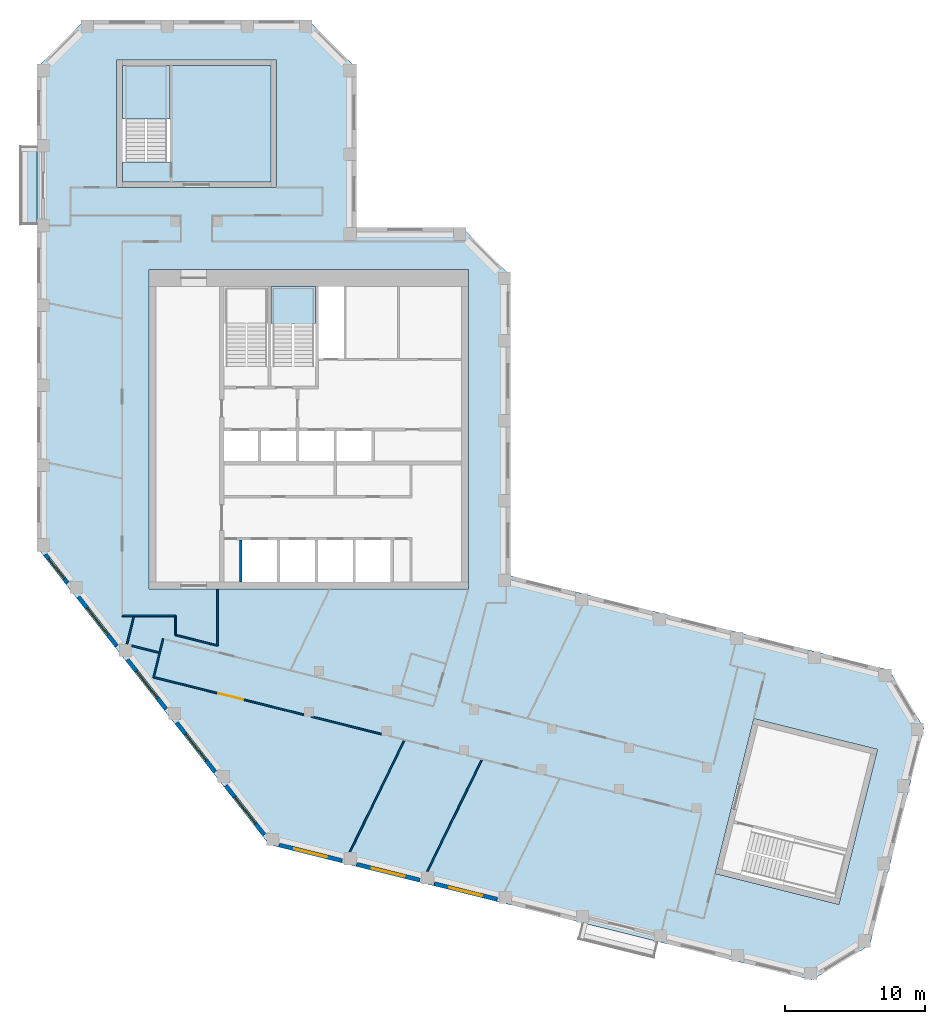
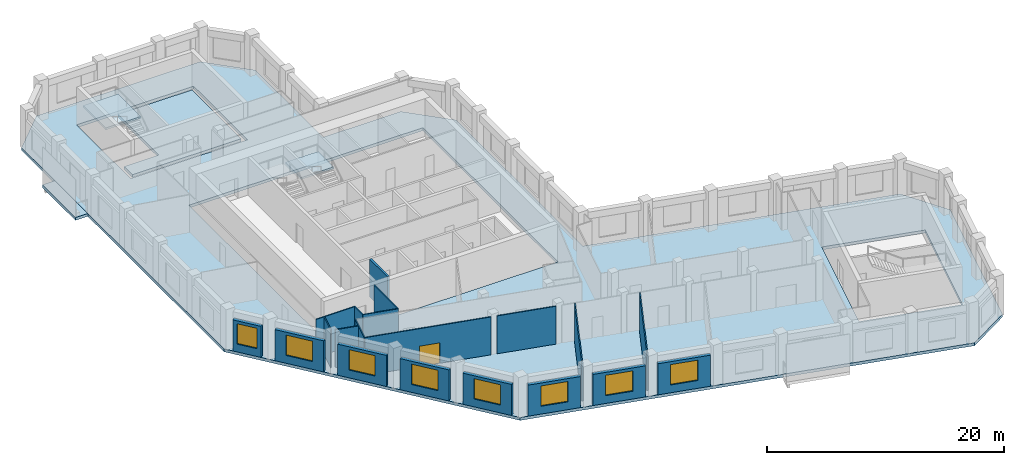
# One storey, part 2 of 8: 20 walls, 8 windows, 5 slabs, 1 door, 9 openings, 2 elements without a shape of their own.
"""IFC4 building model written with IfcOpenShell, lengths in metres."""

from ifc_helpers import new_model, si_unit, direction, frame, frame_2d, origin, place, context, subcontext, project, spatial, polyline, rectangle, outline, extrude, material, layer, layer_set, type_object, element, fill, aggregate, save


model = new_model("IFC4")

# Units and contexts
model_context = context("Model", 3, precision=1e-05, world=origin(), true_north=direction((0.0, 1.0)))
body_context = subcontext(model_context, "Body", "Model", "MODEL_VIEW")
ifc_project = project(units=[si_unit("LENGTHUNIT", "METRE"), si_unit("AREAUNIT", "SQUARE_METRE"), si_unit("VOLUMEUNIT", "CUBIC_METRE"), si_unit("PLANEANGLEUNIT", "RADIAN"), si_unit("MASSUNIT", "GRAM", prefix="KILO")], contexts=[model_context])

# Site, building, storey
site_placement = place(None, origin())
site = spatial("IfcSite", under=ifc_project, at=site_placement, CompositionType="ELEMENT")
building_placement = place(site_placement, origin())
building = spatial("IfcBuilding", under=site, at=building_placement, Name="Meshkara Civic Tower", CompositionType="ELEMENT")
storey_placement = place(building_placement, frame((0.0, 0.0, 366.60009765625)))
storey = spatial("IfcBuildingStorey", under=building, at=storey_placement, Name="L84", CompositionType="ELEMENT", Elevation=366.60009765625)

# Slabs
ifc_material_1 = material(Name="Concrete C40", Category="concrete")
ifc_layer_1 = layer(ifc_material_1, 0.300048828125)
ifc_layer_set_1 = layer_set([ifc_layer_1], Name="BALCONY SLAB")
slab_type_1 = type_object("IfcSlabType", Name="BALCONY SLAB", PredefinedType="FLOOR", material=ifc_layer_set_1)
slab_1_placement = place(storey_placement, frame((0.0, 0.0, -0.300048828125)))
element("IfcSlab", 1, at=slab_1_placement, inside=storey, type_object=slab_type_1, Name="Balcony slab", PredefinedType="FLOOR", context=body_context, shape_type="SweptSolid", body=[
    extrude(outline(polyline([(0.0, 40.5048828125), (0.0, 40.114990234375), (-1.199951171875, 40.114990234375), (-1.199951171875, 45.695068359375), (0.0, 45.695068359375), (0.0, 45.304931640625), (0.0, 40.5048828125)])), origin(), (0.0, 0.0, 1.0), 0.300048828125),
])
ifc_material_2 = material(Name="Concrete C40/50", Category="concrete")
ifc_layer_2 = layer(ifc_material_2, 0.300048828125)
ifc_layer_set_2 = layer_set([ifc_layer_2], Name="Core floor slab 300 C40/50")
slab_type_2 = type_object("IfcSlabType", Name="Core floor slab 300 C40/50", PredefinedType="FLOOR", material=ifc_layer_set_2)
slab_2_placement = place(storey_placement, frame((0.0, 0.0, -0.300048828125)))
element("IfcSlab", 2, at=slab_2_placement, inside=storey, type_object=slab_type_2, Name="Core floor EA", PredefinedType="FLOOR", context=body_context, shape_type="SweptSolid", body=[
    extrude(outline(polyline([(16.699951171875, 43.169921875), (16.699951171875, 51.469970703125), (9.5, 51.469970703125), (9.5, 44.571533203125), (6.10009765625, 44.571533203125), (6.10009765625, 43.169921875), (16.699951171875, 43.169921875)])), origin(), (0.0, 0.0, 1.0), 0.300048828125),
])

# Stair, slab
ifc_material_3 = material(Name="Precast concrete C40/50", Category="concrete")
stair_type = type_object("IfcStairType", Name="Exit stair half-turn 24 risers precast", PredefinedType="HALF_TURN_STAIR", material=ifc_material_3)
stair_1_placement = place(storey_placement, origin())
stair_1 = element("IfcStair", 3, at=stair_1_placement, inside=storey, type_object=stair_type, Name="L84 exit stair 2", PredefinedType="HALF_TURN_STAIR")
ifc_material_4 = material(Name="Precast concrete C40/50", Category="concrete")
ifc_layer_3 = layer(ifc_material_4, 0.199951171875)
ifc_layer_set_3 = layer_set([ifc_layer_3], Name="Exit stair landing 200")
slab_type_3 = type_object("IfcSlabType", Name="Exit stair landing 200", PredefinedType="LANDING", material=ifc_layer_set_3)
slab_3_placement = place(storey_placement, frame((0.0, 0.0, 1.89990234375)))
slab_3 = element("IfcSlab", 4, at=slab_3_placement, type_object=slab_type_3, Name="ST2 landing 1", PredefinedType="LANDING", context=body_context, shape_type="SweptSolid", body=[
    extrude(outline(polyline([(19.89990234375, 33.07861328125), (19.89990234375, 35.699951171875), (16.699951171875, 35.699951171875), (16.699951171875, 33.07861328125), (19.89990234375, 33.07861328125)])), origin(), (0.0, 0.0, 1.0), 0.199951171875),
])
aggregate(stair_1, [slab_3])

stair_2_placement = place(storey_placement, origin())
stair_2 = element("IfcStair", 5, at=stair_2_placement, inside=storey, type_object=stair_type, Name="L84 exit stair A from L80", PredefinedType="HALF_TURN_STAIR")
slab_4_placement = place(storey_placement, frame((0.0, 0.0, 1.89990234375)))
slab_4 = element("IfcSlab", 6, at=slab_4_placement, type_object=slab_type_3, Name="ESA6 landing 1", PredefinedType="LANDING", context=body_context, shape_type="SweptSolid", body=[
    extrude(outline(polyline([(9.5, 47.6484375), (9.5, 51.469970703125), (6.10009765625, 51.469970703125), (6.10009765625, 47.6484375), (9.5, 47.6484375)])), origin(), (0.0, 0.0, 1.0), 0.199951171875),
])
aggregate(stair_2, [slab_4])

# Slab
ifc_material_5 = material(Name="Concrete C50", Category="concrete")
ifc_layer_4 = layer(ifc_material_5, 0.300048828125)
ifc_layer_set_4 = layer_set([ifc_layer_4], Name="Post-tensioned flat slab 300 C50")
slab_type_4 = type_object("IfcSlabType", Name="Post-tensioned flat slab 300 C50", PredefinedType="FLOOR", material=ifc_layer_set_4)
slab_5_placement = place(storey_placement, frame((0.0, 0.0, -0.300048828125)))
element("IfcSlab", 7, at=slab_5_placement, inside=storey, type_object=slab_type_4, Name="Post-tensioned flat slab L84", PredefinedType="FLOOR", context=body_context, shape_type="SweptSolid", body=[
    extrude(outline(polyline([(59.452880859375, -11.299072265625), (55.306884765625, -13.7900390625), (16.592041015625, -4.136962890625), (0.0, 17.10009765625), (0.0, 51.300048828125), (3.419921875, 54.719970703125), (19.3798828125, 54.719970703125), (22.800048828125, 51.300048828125), (22.800048828125, 39.89990234375), (30.3798828125, 39.89990234375), (33.800048828125, 36.47998046875), (33.800048828125, 15.071044921875), (60.822998046875, 8.3330078125), (63.31396484375, 4.18701171875), (59.452880859375, -11.299072265625)]), holes=[polyline([(57.239013671875, -8.39697265625), (59.9970703125, 2.6650390625), (51.1669921875, 4.865966796875), (48.408935546875, -6.195068359375), (57.239013671875, -8.39697265625)]), polyline([(8.0, 14.10009765625), (30.800048828125, 14.10009765625), (30.800048828125, 36.89990234375), (8.0, 36.89990234375), (8.0, 14.10009765625)]), polyline([(5.699951171875, 51.8701171875), (5.699951171875, 42.77001953125), (17.10009765625, 42.77001953125), (17.10009765625, 51.8701171875), (5.699951171875, 51.8701171875)])]), origin(), (0.0, 0.0, 1.0), 0.300048828125),
])

# Wall
ifc_material_6 = material(Name="Corridor wall 100")
ifc_layer_5 = layer(ifc_material_6, 0.10009765625)
ifc_layer_set_5 = layer_set([ifc_layer_5], Name="Corridor wall 100")
wall_type_1 = type_object("IfcWallType", Name="Corridor wall 100", PredefinedType="PARTITIONING", material=ifc_layer_set_5)
wall_1_placement = place(storey_placement, frame((6.10009765625, 12.199951171875, 0.0), z_axis=(0.0, 0.0, 1.0), x_axis=(1.0, 0.0, 0.0)))
element("IfcWall", 8, at=wall_1_placement, inside=storey, type_object=wall_type_1, Name="L84-W004", PredefinedType="PARTITIONING", context=body_context, shape_type="SweptSolid", body=[
    extrude(rectangle(XDim=3.7998046875, YDim=0.10009765625, at=frame_2d((1.89990234375, 0.0))), origin(), (0.0, 0.0, 1.0), 3.89990234375),
])

# Wall, opening, door
wall_2_placement = place(storey_placement, frame((8.333984375, 7.81494140625, 0.0), z_axis=(0.0, 0.0, 1.0), x_axis=(0.970312231044, -0.241855688968, 0.0)))
wall_2 = element("IfcWall", 9, at=wall_2_placement, inside=storey, type_object=wall_type_1, Name="L84-W006", PredefinedType="PARTITIONING", context=body_context, shape_type="SweptSolid", body=[
    extrude(rectangle(XDim=11.068603515625, YDim=0.10009765625, at=frame_2d((5.5341796875, 0.0))), origin(), (0.0, 0.0, 1.0), 3.89990234375),
])
opening_1_placement = place(wall_2_placement, frame((4.780029296875, 0.0, 0.0)))
opening_1 = element("IfcOpeningElement", 10, at=opening_1_placement, cuts=wall_2, Name="Opening L84-D008", PredefinedType="OPENING", context=body_context, shape_type="SweptSolid", body=[
    extrude(rectangle(XDim=1.800048828125, YDim=2.10009765625, at=frame_2d((0.89990234375, 1.050048828125))), frame((0.0, 0.06005859375, 0.0), z_axis=(0.0, -1.0, 0.0), x_axis=(1.0, 0.0, 0.0)), (0.0, 0.0, 1.0), 0.1201171875),
])
ifc_material_7 = material(Name="Door pair 1800 x 2100")
door_type = type_object("IfcDoorType", Name="Door pair 1800 x 2100", OperationType="SINGLE_SWING_LEFT", PredefinedType="DOOR", material=ifc_material_7)
door_placement = place(opening_1_placement, origin())
door = element("IfcDoor", 11, at=door_placement, inside=storey, type_object=door_type, Name="L84-D008", OperationType="DOUBLE_DOOR_SINGLE_SWING", OverallHeight=2.10009765625, OverallWidth=1.800048828125, PredefinedType="DOOR", context=body_context, shape_type="SweptSolid", body=[
    extrude(rectangle(XDim=1.800048828125, YDim=2.10009765625, at=frame_2d((0.89990234375, 1.050048828125))), frame((0.0, 0.02490234375, 0.0), z_axis=(0.0, -1.0, 0.0), x_axis=(1.0, 0.0, 0.0)), (0.0, 0.0, 1.0), 0.050048828125),
])
fill(opening_1, door)

# Walls
wall_3_placement = place(storey_placement, frame((9.01708984375, 10.55810546875, 0.0), z_axis=(0.0, 0.0, 1.0), x_axis=(-0.241641419317, -0.970365613813, 0.0)))
element("IfcWall", 12, at=wall_3_placement, inside=storey, type_object=wall_type_1, Name="L84-W008", PredefinedType="PARTITIONING", context=body_context, shape_type="SweptSolid", body=[
    extrude(rectangle(XDim=2.826904296875, YDim=0.10009765625, at=frame_2d((1.41357421875, 0.0))), origin(), (0.0, 0.0, 1.0), 3.89990234375),
])
wall_4_placement = place(storey_placement, frame((9.89990234375, 10.825927734375, 0.0), z_axis=(0.0, 0.0, 1.0), x_axis=(0.970290953223, -0.241941038466, 0.0)))
element("IfcWall", 13, at=wall_4_placement, inside=storey, type_object=wall_type_1, Name="L84-W009", PredefinedType="PARTITIONING", context=body_context, shape_type="SweptSolid", body=[
    extrude(rectangle(XDim=3.091796875, YDim=0.10009765625, at=frame_2d((1.5458984375, 0.0))), origin(), (0.0, 0.0, 1.0), 3.89990234375),
])
wall_5_placement = place(storey_placement, frame((9.89990234375, 12.199951171875, 0.0), z_axis=(0.0, 0.0, 1.0), x_axis=(0.0, -1.0, 0.0)))
element("IfcWall", 14, at=wall_5_placement, inside=storey, type_object=wall_type_1, Name="L84-W010", PredefinedType="PARTITIONING", context=body_context, shape_type="SweptSolid", body=[
    extrude(rectangle(XDim=1.3740234375, YDim=0.10009765625, at=frame_2d((0.68701171875, 0.0))), origin(), (0.0, 0.0, 1.0), 3.89990234375),
])
wall_6_placement = place(storey_placement, frame((12.89990234375, 10.077880859375, 0.0), z_axis=(0.0, 0.0, 1.0), x_axis=(0.0, 1.0, 0.0)))
element("IfcWall", 15, at=wall_6_placement, inside=storey, type_object=wall_type_1, Name="L84-W015", PredefinedType="PARTITIONING", context=body_context, shape_type="SweptSolid", body=[
    extrude(rectangle(XDim=4.022216796875, YDim=0.10009765625, at=frame_2d((2.01123046875, 0.0))), origin(), (0.0, 0.0, 1.0), 3.89990234375),
])
wall_7_placement = place(storey_placement, frame((19.5859375, 5.010009765625, 0.0), z_axis=(0.0, 0.0, 1.0), x_axis=(0.970303347181, -0.241891327769, 0.0)))
element("IfcWall", 16, at=wall_7_placement, inside=storey, type_object=wall_type_1, Name="L84-W016", PredefinedType="PARTITIONING", context=body_context, shape_type="SweptSolid", body=[
    extrude(rectangle(XDim=5.171630859375, YDim=0.10009765625, at=frame_2d((2.5859375, 0.0))), origin(), (0.0, 0.0, 1.0), 3.89990234375),
])

# Wall, opening, window
ifc_material_8 = material(Name="Insulated infill panel with bronze anodised aluminium cladding", Category="aluminium")
ifc_layer_6 = layer(ifc_material_8, 0.300048828125)
ifc_layer_set_6 = layer_set([ifc_layer_6], Name="EXTERNAL INFILL WALL 300")
wall_type_2 = type_object("IfcWallType", Name="EXTERNAL INFILL WALL 300", PredefinedType="SOLIDWALL", material=ifc_layer_set_6)
wall_8_placement = place(storey_placement, frame((0.60205078125, 16.572998046875, 0.0), z_axis=(0.0, 0.0, 1.0), x_axis=(0.61568999437, -0.787988471256, 0.0)))
wall_8 = element("IfcWall", 17, at=wall_8_placement, inside=storey, type_object=wall_type_2, Name="External wall", PredefinedType="SOLIDWALL", context=body_context, shape_type="SweptSolid", body=[
    extrude(rectangle(XDim=2.577392578125, YDim=0.300048828125, at=frame_2d((1.28857421875, 0.0))), origin(), (0.0, 0.0, 1.0), 3.199951171875),
])
opening_2_placement = place(wall_8_placement, frame((0.387939453125, 0.0, 0.800048828125)))
opening_2 = element("IfcOpeningElement", 18, at=opening_2_placement, cuts=wall_8, Name="Opening W9", PredefinedType="OPENING", context=body_context, shape_type="SweptSolid", body=[
    extrude(rectangle(XDim=1.800048828125, YDim=2.10009765625, at=frame_2d((0.89990234375, 1.050048828125))), frame((0.0, 0.159912109375, 0.0), z_axis=(0.0, -1.0, 0.0), x_axis=(1.0, 0.0, 0.0)), (0.0, 0.0, 1.0), 0.320068359375),
])
ifc_material_9 = material(Name="Tinted double glazing", Category="glass")
window_type_1 = type_object("IfcWindowType", Name="WINDOW 1800x2100", PartitioningType="DOUBLE_PANEL_VERTICAL", PredefinedType="WINDOW", material=ifc_material_9)
window_1_placement = place(opening_2_placement, origin())
window_1 = element("IfcWindow", 19, at=window_1_placement, inside=storey, type_object=window_type_1, Name="Window", OverallHeight=2.10009765625, OverallWidth=1.800048828125, PartitioningType="DOUBLE_PANEL_VERTICAL", PredefinedType="WINDOW", context=body_context, shape_type="SweptSolid", body=[
    extrude(rectangle(XDim=1.800048828125, YDim=2.10009765625, at=frame_2d((0.89990234375, 1.050048828125))), frame((0.0, 0.030029296875, 0.0), z_axis=(0.0, -1.0, 0.0), x_axis=(1.0, 0.0, 0.0)), (0.0, 0.0, 1.0), 0.06005859375),
])
fill(opening_2, window_1)

wall_9_placement = place(storey_placement, frame((2.967041015625, 13.547119140625, 0.0), z_axis=(0.0, 0.0, 1.0), x_axis=(0.615486001463, -0.788147817356, 0.0)))
wall_9 = element("IfcWall", 20, at=wall_9_placement, inside=storey, type_object=wall_type_2, Name="External wall", PredefinedType="SOLIDWALL", context=body_context, shape_type="SweptSolid", body=[
    extrude(rectangle(XDim=4.43701171875, YDim=0.300048828125, at=frame_2d((2.218505859375, 0.0))), origin(), (0.0, 0.0, 1.0), 3.199951171875),
])
opening_3_placement = place(wall_9_placement, frame((1.01806640625, 0.0, 0.800048828125)))
opening_3 = element("IfcOpeningElement", 21, at=opening_3_placement, cuts=wall_9, Name="Opening W7", PredefinedType="OPENING", context=body_context, shape_type="SweptSolid", body=[
    extrude(rectangle(XDim=2.39990234375, YDim=2.10009765625, at=frame_2d((1.199951171875, 1.050048828125))), frame((0.0, 0.159912109375, 0.0), z_axis=(0.0, -1.0, 0.0), x_axis=(1.0, 0.0, 0.0)), (0.0, 0.0, 1.0), 0.320068359375),
])
ifc_material_10 = material(Name="Tinted double glazing", Category="glass")
window_type_2 = type_object("IfcWindowType", Name="WINDOW 2400x2100", PartitioningType="DOUBLE_PANEL_VERTICAL", PredefinedType="WINDOW", material=ifc_material_10)
window_2_placement = place(opening_3_placement, origin())
window_2 = element("IfcWindow", 22, at=window_2_placement, inside=storey, type_object=window_type_2, Name="Window", OverallHeight=2.10009765625, OverallWidth=2.39990234375, PartitioningType="DOUBLE_PANEL_VERTICAL", PredefinedType="WINDOW", context=body_context, shape_type="SweptSolid", body=[
    extrude(rectangle(XDim=2.39990234375, YDim=2.10009765625, at=frame_2d((1.199951171875, 1.050048828125))), frame((0.0, 0.030029296875, 0.0), z_axis=(0.0, -1.0, 0.0), x_axis=(1.0, 0.0, 0.0)), (0.0, 0.0, 1.0), 0.06005859375),
])
fill(opening_3, window_2)

wall_10_placement = place(storey_placement, frame((6.47607421875, 9.054931640625, 0.0), z_axis=(0.0, 0.0, 1.0), x_axis=(0.615649380255, -0.788020203162, 0.0)))
wall_10 = element("IfcWall", 23, at=wall_10_placement, inside=storey, type_object=wall_type_2, Name="External wall", PredefinedType="SOLIDWALL", context=body_context, shape_type="SweptSolid", body=[
    extrude(rectangle(XDim=4.4375, YDim=0.300048828125, at=frame_2d((2.21875, 0.0))), origin(), (0.0, 0.0, 1.0), 3.199951171875),
])
opening_4_placement = place(wall_10_placement, frame((1.01904296875, 0.0, 0.800048828125)))
opening_4 = element("IfcOpeningElement", 24, at=opening_4_placement, cuts=wall_10, Name="Opening W7", PredefinedType="OPENING", context=body_context, shape_type="SweptSolid", body=[
    extrude(rectangle(XDim=2.39990234375, YDim=2.10009765625, at=frame_2d((1.199951171875, 1.050048828125))), frame((0.0, 0.159912109375, 0.0), z_axis=(0.0, -1.0, 0.0), x_axis=(1.0, 0.0, 0.0)), (0.0, 0.0, 1.0), 0.320068359375),
])
window_3_placement = place(opening_4_placement, origin())
window_3 = element("IfcWindow", 25, at=window_3_placement, inside=storey, type_object=window_type_2, Name="Window", OverallHeight=2.10009765625, OverallWidth=2.39990234375, PartitioningType="DOUBLE_PANEL_VERTICAL", PredefinedType="WINDOW", context=body_context, shape_type="SweptSolid", body=[
    extrude(rectangle(XDim=2.39990234375, YDim=2.10009765625, at=frame_2d((1.199951171875, 1.050048828125))), frame((0.0, 0.030029296875, 0.0), z_axis=(0.0, -1.0, 0.0), x_axis=(1.0, 0.0, 0.0)), (0.0, 0.0, 1.0), 0.06005859375),
])
fill(opening_4, window_3)

wall_11_placement = place(storey_placement, frame((9.986083984375, 4.56298828125, 0.0), z_axis=(0.0, 0.0, 1.0), x_axis=(0.615592779411, -0.788064419915, 0.0)))
wall_11 = element("IfcWall", 26, at=wall_11_placement, inside=storey, type_object=wall_type_2, Name="External wall", PredefinedType="SOLIDWALL", context=body_context, shape_type="SweptSolid", body=[
    extrude(rectangle(XDim=4.436279296875, YDim=0.300048828125, at=frame_2d((2.21826171875, 0.0))), origin(), (0.0, 0.0, 1.0), 3.199951171875),
])
opening_5_placement = place(wall_11_placement, frame((1.01806640625, 0.0, 0.800048828125)))
opening_5 = element("IfcOpeningElement", 27, at=opening_5_placement, cuts=wall_11, Name="Opening W7", PredefinedType="OPENING", context=body_context, shape_type="SweptSolid", body=[
    extrude(rectangle(XDim=2.39990234375, YDim=2.10009765625, at=frame_2d((1.199951171875, 1.050048828125))), frame((0.0, 0.159912109375, 0.0), z_axis=(0.0, -1.0, 0.0), x_axis=(1.0, 0.0, 0.0)), (0.0, 0.0, 1.0), 0.320068359375),
])
window_4_placement = place(opening_5_placement, origin())
window_4 = element("IfcWindow", 28, at=window_4_placement, inside=storey, type_object=window_type_2, Name="Window", OverallHeight=2.10009765625, OverallWidth=2.39990234375, PartitioningType="DOUBLE_PANEL_VERTICAL", PredefinedType="WINDOW", context=body_context, shape_type="SweptSolid", body=[
    extrude(rectangle(XDim=2.39990234375, YDim=2.10009765625, at=frame_2d((1.199951171875, 1.050048828125))), frame((0.0, 0.030029296875, 0.0), z_axis=(0.0, -1.0, 0.0), x_axis=(1.0, 0.0, 0.0)), (0.0, 0.0, 1.0), 0.06005859375),
])
fill(opening_5, window_4)

wall_12_placement = place(storey_placement, frame((13.493896484375, 0.071044921875, 0.0), z_axis=(0.0, 0.0, 1.0), x_axis=(0.615763624226, -0.787930935476, 0.0)))
wall_12 = element("IfcWall", 29, at=wall_12_placement, inside=storey, type_object=wall_type_2, Name="External wall", PredefinedType="SOLIDWALL", context=body_context, shape_type="SweptSolid", body=[
    extrude(rectangle(XDim=4.43701171875, YDim=0.300048828125, at=frame_2d((2.218505859375, 0.0))), origin(), (0.0, 0.0, 1.0), 3.199951171875),
])
opening_6_placement = place(wall_12_placement, frame((1.01806640625, 0.0, 0.800048828125)))
opening_6 = element("IfcOpeningElement", 30, at=opening_6_placement, cuts=wall_12, Name="Opening W7", PredefinedType="OPENING", context=body_context, shape_type="SweptSolid", body=[
    extrude(rectangle(XDim=2.39990234375, YDim=2.10009765625, at=frame_2d((1.199951171875, 1.050048828125))), frame((0.0, 0.159912109375, 0.0), z_axis=(0.0, -1.0, 0.0), x_axis=(1.0, 0.0, 0.0)), (0.0, 0.0, 1.0), 0.320068359375),
])
window_5_placement = place(opening_6_placement, origin())
window_5 = element("IfcWindow", 31, at=window_5_placement, inside=storey, type_object=window_type_2, Name="Window", OverallHeight=2.10009765625, OverallWidth=2.39990234375, PartitioningType="DOUBLE_PANEL_VERTICAL", PredefinedType="WINDOW", context=body_context, shape_type="SweptSolid", body=[
    extrude(rectangle(XDim=2.39990234375, YDim=2.10009765625, at=frame_2d((1.199951171875, 1.050048828125))), frame((0.0, 0.030029296875, 0.0), z_axis=(0.0, -1.0, 0.0), x_axis=(1.0, 0.0, 0.0)), (0.0, 0.0, 1.0), 0.06005859375),
])
fill(opening_6, window_5)

wall_13_placement = place(storey_placement, frame((17.30810546875, -4.160888671875, 0.0), z_axis=(0.0, 0.0, 1.0), x_axis=(0.970294992984, -0.241924836652, 0.0)))
wall_13 = element("IfcWall", 32, at=wall_13_placement, inside=storey, type_object=wall_type_2, Name="External wall", PredefinedType="SOLIDWALL", context=body_context, shape_type="SweptSolid", body=[
    extrude(rectangle(XDim=4.60888671875, YDim=0.300048828125, at=frame_2d((2.304443359375, 0.0))), origin(), (0.0, 0.0, 1.0), 3.199951171875),
])
opening_7_placement = place(wall_13_placement, frame((1.10498046875, 0.0, 0.800048828125)))
opening_7 = element("IfcOpeningElement", 33, at=opening_7_placement, cuts=wall_13, Name="Opening W7", PredefinedType="OPENING", context=body_context, shape_type="SweptSolid", body=[
    extrude(rectangle(XDim=2.39990234375, YDim=2.10009765625, at=frame_2d((1.199951171875, 1.050048828125))), frame((0.0, 0.159912109375, 0.0), z_axis=(0.0, -1.0, 0.0), x_axis=(1.0, 0.0, 0.0)), (0.0, 0.0, 1.0), 0.320068359375),
])
window_6_placement = place(opening_7_placement, origin())
window_6 = element("IfcWindow", 34, at=window_6_placement, inside=storey, type_object=window_type_2, Name="Window", OverallHeight=2.10009765625, OverallWidth=2.39990234375, PartitioningType="DOUBLE_PANEL_VERTICAL", PredefinedType="WINDOW", context=body_context, shape_type="SweptSolid", body=[
    extrude(rectangle(XDim=2.39990234375, YDim=2.10009765625, at=frame_2d((1.199951171875, 1.050048828125))), frame((0.0, 0.030029296875, 0.0), z_axis=(0.0, -1.0, 0.0), x_axis=(1.0, 0.0, 0.0)), (0.0, 0.0, 1.0), 0.06005859375),
])
fill(opening_7, window_6)

wall_14_placement = place(storey_placement, frame((22.839111328125, -5.5400390625, 0.0), z_axis=(0.0, 0.0, 1.0), x_axis=(0.970282587769, -0.241974585177, 0.0)))
wall_14 = element("IfcWall", 35, at=wall_14_placement, inside=storey, type_object=wall_type_2, Name="External wall", PredefinedType="SOLIDWALL", context=body_context, shape_type="SweptSolid", body=[
    extrude(rectangle(XDim=4.60791015625, YDim=0.300048828125, at=frame_2d((2.303955078125, 0.0))), origin(), (0.0, 0.0, 1.0), 3.199951171875),
])
opening_8_placement = place(wall_14_placement, frame((1.10400390625, 0.0, 0.800048828125)))
opening_8 = element("IfcOpeningElement", 36, at=opening_8_placement, cuts=wall_14, Name="Opening W7", PredefinedType="OPENING", context=body_context, shape_type="SweptSolid", body=[
    extrude(rectangle(XDim=2.39990234375, YDim=2.10009765625, at=frame_2d((1.199951171875, 1.050048828125))), frame((0.0, 0.159912109375, 0.0), z_axis=(0.0, -1.0, 0.0), x_axis=(1.0, 0.0, 0.0)), (0.0, 0.0, 1.0), 0.320068359375),
])
window_7_placement = place(opening_8_placement, origin())
window_7 = element("IfcWindow", 37, at=window_7_placement, inside=storey, type_object=window_type_2, Name="Window", OverallHeight=2.10009765625, OverallWidth=2.39990234375, PartitioningType="DOUBLE_PANEL_VERTICAL", PredefinedType="WINDOW", context=body_context, shape_type="SweptSolid", body=[
    extrude(rectangle(XDim=2.39990234375, YDim=2.10009765625, at=frame_2d((1.199951171875, 1.050048828125))), frame((0.0, 0.030029296875, 0.0), z_axis=(0.0, -1.0, 0.0), x_axis=(1.0, 0.0, 0.0)), (0.0, 0.0, 1.0), 0.06005859375),
])
fill(opening_8, window_7)

wall_15_placement = place(storey_placement, frame((28.368896484375, -6.9189453125, 0.0), z_axis=(0.0, 0.0, 1.0), x_axis=(0.970298093093, -0.241912402618, 0.0)))
wall_15 = element("IfcWall", 38, at=wall_15_placement, inside=storey, type_object=wall_type_2, Name="External wall", PredefinedType="SOLIDWALL", context=body_context, shape_type="SweptSolid", body=[
    extrude(rectangle(XDim=4.609130859375, YDim=0.300048828125, at=frame_2d((2.3046875, 0.0))), origin(), (0.0, 0.0, 1.0), 3.199951171875),
])
opening_9_placement = place(wall_15_placement, frame((1.10498046875, 0.0, 0.800048828125)))
opening_9 = element("IfcOpeningElement", 39, at=opening_9_placement, cuts=wall_15, Name="Opening W7", PredefinedType="OPENING", context=body_context, shape_type="SweptSolid", body=[
    extrude(rectangle(XDim=2.39990234375, YDim=2.10009765625, at=frame_2d((1.199951171875, 1.050048828125))), frame((0.0, 0.159912109375, 0.0), z_axis=(0.0, -1.0, 0.0), x_axis=(1.0, 0.0, 0.0)), (0.0, 0.0, 1.0), 0.320068359375),
])
window_8_placement = place(opening_9_placement, origin())
window_8 = element("IfcWindow", 40, at=window_8_placement, inside=storey, type_object=window_type_2, Name="Window", OverallHeight=2.10009765625, OverallWidth=2.39990234375, PartitioningType="DOUBLE_PANEL_VERTICAL", PredefinedType="WINDOW", context=body_context, shape_type="SweptSolid", body=[
    extrude(rectangle(XDim=2.39990234375, YDim=2.10009765625, at=frame_2d((1.199951171875, 1.050048828125))), frame((0.0, 0.030029296875, 0.0), z_axis=(0.0, -1.0, 0.0), x_axis=(1.0, 0.0, 0.0)), (0.0, 0.0, 1.0), 0.06005859375),
])
fill(opening_9, window_8)

# Walls
ifc_material_11 = material(Name="Partition 100")
ifc_layer_7 = layer(ifc_material_11, 0.10009765625)
ifc_layer_set_7 = layer_set([ifc_layer_7], Name="Partition 100")
wall_type_3 = type_object("IfcWallType", Name="Partition 100", PredefinedType="PARTITIONING", material=ifc_layer_set_7)
wall_16_placement = place(storey_placement, frame((6.922119140625, 12.137939453125, 0.0), z_axis=(0.0, 0.0, 1.0), x_axis=(-0.24222136375, -0.97022101139, 0.0)))
element("IfcWall", 41, at=wall_16_placement, inside=storey, type_object=wall_type_3, Name="L84-W042", PredefinedType="PARTITIONING", context=body_context, shape_type="SweptSolid", body=[
    extrude(rectangle(XDim=2.0107421875, YDim=0.10009765625, at=frame_2d((1.00537109375, 0.0))), origin(), (0.0, 0.0, 1.0), 3.89990234375),
])
wall_17_placement = place(storey_placement, frame((8.719970703125, 9.573974609375, 0.0), z_axis=(0.0, 0.0, 1.0), x_axis=(-0.970221168815, 0.24222073318, 0.0)))
element("IfcWall", 42, at=wall_17_placement, inside=storey, type_object=wall_type_3, Name="L84-W043", PredefinedType="PARTITIONING", context=body_context, shape_type="SweptSolid", body=[
    extrude(rectangle(XDim=2.0068359375, YDim=0.10009765625, at=frame_2d((1.00341796875, 0.0))), origin(), (0.0, 0.0, 1.0), 3.89990234375),
])
wall_18_placement = place(storey_placement, frame((22.3359375, -4.6669921875, 0.0), z_axis=(0.0, 0.0, 1.0), x_axis=(0.438261260169, 0.89884763327, 0.0)))
element("IfcWall", 43, at=wall_18_placement, inside=storey, type_object=wall_type_3, Name="L84-W045", PredefinedType="PARTITIONING", context=body_context, shape_type="SweptSolid", body=[
    extrude(rectangle(XDim=8.85791015625, YDim=0.10009765625, at=frame_2d((4.428955078125, 0.0))), origin(), (0.0, 0.0, 1.0), 3.89990234375),
])
wall_19_placement = place(storey_placement, frame((27.865966796875, -6.0458984375, 0.0), z_axis=(0.0, 0.0, 1.0), x_axis=(0.438350325629, 0.898804201159, 0.0)))
element("IfcWall", 44, at=wall_19_placement, inside=storey, type_object=wall_type_3, Name="L84-W048", PredefinedType="PARTITIONING", context=body_context, shape_type="SweptSolid", body=[
    extrude(rectangle(XDim=8.8583984375, YDim=0.10009765625, at=frame_2d((4.42919921875, 0.0))), origin(), (0.0, 0.0, 1.0), 3.89990234375),
])
ifc_material_12 = material(Name="Concrete C40/50", Category="concrete")
ifc_layer_8 = layer(ifc_material_12, 0.199951171875)
ifc_layer_set_8 = layer_set([ifc_layer_8], Name="Shaft wall 200 C40/50")
wall_type_4 = type_object("IfcWallType", Name="Shaft wall 200 C40/50", PredefinedType="SOLIDWALL", material=ifc_layer_set_8)
wall_20_placement = place(storey_placement, frame((14.550048828125, 14.60009765625, 0.0), z_axis=(0.0, 0.0, 1.0), x_axis=(0.0, 1.0, 0.0)))
element("IfcWall", 45, at=wall_20_placement, inside=storey, type_object=wall_type_4, Name="L84-C012", PredefinedType="SOLIDWALL", context=body_context, shape_type="SweptSolid", body=[
    extrude(rectangle(XDim=3.0, YDim=0.199951171875, at=frame_2d((1.5, 0.0))), origin(), (0.0, 0.0, 1.0), 3.89990234375),
])

save(model, "model.ifc")
